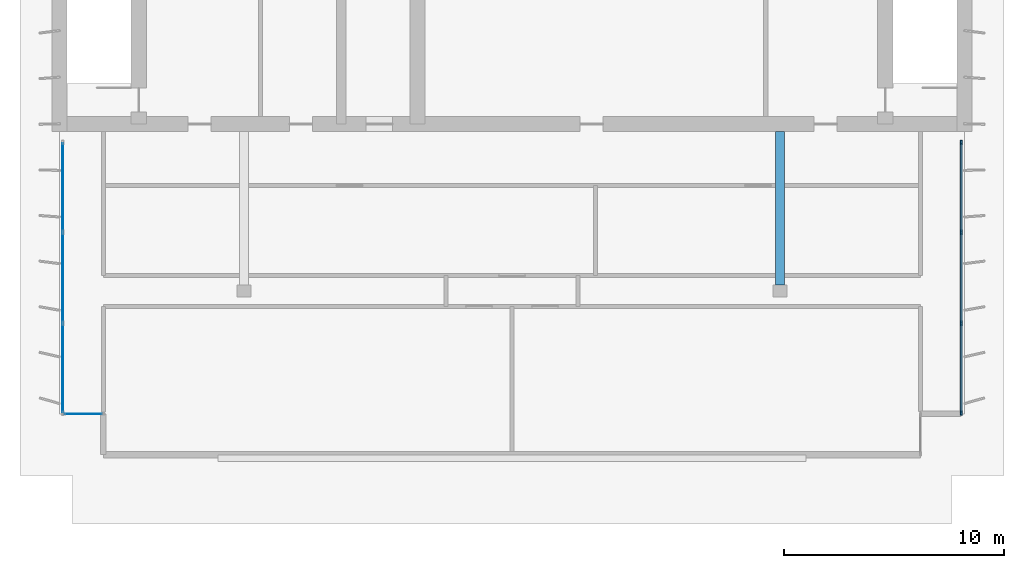
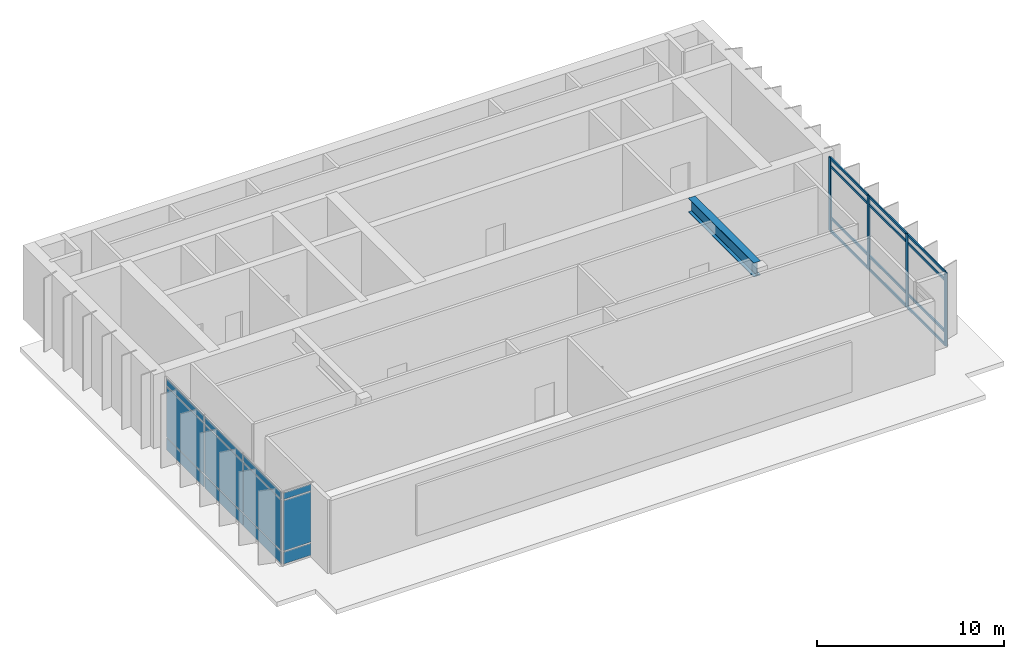
# One storey, part 2 of 5: 16 members, 12 plates, 1 beam, 3 elements without a shape of their own.
"""IFC4 building model written with IfcOpenShell, lengths in metres."""

from ifc_helpers import new_model, si_unit, direction, frame, origin, origin_2d, place, context, subcontext, project, spatial, rectangle, i_section, extrude, material, layer, layer_set, material_profile, profile_set, type_object, element, aggregate, save


model = new_model("IFC4")

# Units and contexts
model_context = context("Model", 3, precision=1e-05, world=origin(), true_north=direction((0.0, 1.0)))
body_context = subcontext(model_context, "Body", "Model", "MODEL_VIEW")
ifc_project = project(units=[si_unit("LENGTHUNIT", "METRE"), si_unit("AREAUNIT", "SQUARE_METRE"), si_unit("VOLUMEUNIT", "CUBIC_METRE"), si_unit("PLANEANGLEUNIT", "RADIAN"), si_unit("MASSUNIT", "GRAM", prefix="KILO")], contexts=[model_context])

# Site, building, storey
site_placement = place(None, origin())
site = spatial("IfcSite", under=ifc_project, at=site_placement, CompositionType="ELEMENT")
building_placement = place(site_placement, origin())
building = spatial("IfcBuilding", under=site, at=building_placement, Name="Caelmar Bay Residences", CompositionType="ELEMENT")
storey_placement = place(building_placement, frame((0.0, 0.0, 300.39990234375)))
storey = spatial("IfcBuildingStorey", under=building, at=storey_placement, Name="L82", CompositionType="ELEMENT", Elevation=300.39990234375)

# Beam
ifc_material_1 = material(Name="Steel ASTM A992 Grade 50", Category="steel")
ifc_material_profile_1 = material_profile(ifc_material_1, i_section(OverallWidth=0.422119140625, OverallDepth=0.925048828125, WebThickness=0.021240234375, FlangeThickness=0.03662109375, FilletRadius=0.020263671875, at=origin_2d()), Name="W36X262")
ifc_profile_set_1 = profile_set([ifc_material_profile_1], Name="Steel ASTM A992 Grade 50")
beam_type = type_object("IfcBeamType", Name="BM-GRD-W36X262", PredefinedType="BEAM", material=ifc_profile_set_1)
beam_placement = place(storey_placement, frame((51.10009765625, 29.6650390625, 4.337646484375), z_axis=(0.0, 1.0, 0.0), x_axis=(-1.0, 0.0, 0.0)))
element("IfcBeam", 1, at=beam_placement, inside=storey, type_object=beam_type, Name="L82 Core Tie Girder X=51.10", PredefinedType="BEAM", context=body_context, shape_type="SweptSolid", body=[
    extrude(i_section(OverallWidth=0.422119140625, OverallDepth=0.925048828125, WebThickness=0.021240234375, FlangeThickness=0.03662109375, FilletRadius=0.020263671875, at=origin_2d()), origin(), (0.0, 0.0, 1.0), 6.98486328125),
])

# Curtain wall, members
ifc_material_2 = material(Name="Anodised bronze aluminium 6063-T6 and laminated glass", Category="aluminium")
ifc_layer_1 = layer(ifc_material_2, 0.179931640625)
ifc_layer_set_1 = layer_set([ifc_layer_1], Name="Anodised bronze aluminium 6063-T6 and laminated glass")
curtain_wall_type_1 = type_object("IfcCurtainWallType", Name="CW7-CRN", PredefinedType="NOTDEFINED", material=ifc_layer_set_1)
curtain_wall_1_placement = place(storey_placement, origin())
curtain_wall_1 = element("IfcCurtainWall", 2, at=curtain_wall_1_placement, inside=storey, type_object=curtain_wall_type_1, Name="CW7 curtain wall L82", PredefinedType="NOTDEFINED")
ifc_material_3 = material(Name="Anodised bronze aluminium 6063-T6", Category="aluminium")
ifc_material_profile_2 = material_profile(ifc_material_3, rectangle(XDim=0.080078125, YDim=0.219970703125, at=origin_2d()), Name="CWM-80X220")
ifc_profile_set_2 = profile_set([ifc_material_profile_2], Name="Anodised bronze aluminium 6063-T6")
member_type_1 = type_object("IfcMemberType", Name="CWM-220", PredefinedType="MULLION", material=ifc_profile_set_2)
member_1_placement = place(storey_placement, frame((59.35009765625, 36.159912109375, 0.0), z_axis=(0.0, 0.0, 1.0), x_axis=(1.0, 0.0, 0.0)))
member_1 = element("IfcMember", 3, at=member_1_placement, type_object=member_type_1, Name="CW7 mullion 1", PredefinedType="MULLION", context=body_context, shape_type="SweptSolid", body=[
    extrude(rectangle(XDim=0.080078125, YDim=0.219970703125, at=origin_2d()), origin(), (0.0, 0.0, 1.0), 4.800048828125),
])
member_2_placement = place(storey_placement, frame((59.35009765625, 32.066650390625, 0.0), z_axis=(0.0, 0.0, 1.0), x_axis=(1.0, 0.0, 0.0)))
member_2 = element("IfcMember", 4, at=member_2_placement, type_object=member_type_1, Name="CW7 mullion 2", PredefinedType="MULLION", context=body_context, shape_type="SweptSolid", body=[
    extrude(rectangle(XDim=0.080078125, YDim=0.219970703125, at=origin_2d()), origin(), (0.0, 0.0, 1.0), 4.800048828125),
])
member_3_placement = place(storey_placement, frame((59.35009765625, 27.933349609375, 0.0), z_axis=(0.0, 0.0, 1.0), x_axis=(1.0, 0.0, 0.0)))
member_3 = element("IfcMember", 5, at=member_3_placement, type_object=member_type_1, Name="CW7 mullion 3", PredefinedType="MULLION", context=body_context, shape_type="SweptSolid", body=[
    extrude(rectangle(XDim=0.080078125, YDim=0.219970703125, at=origin_2d()), origin(), (0.0, 0.0, 1.0), 4.800048828125),
])
member_4_placement = place(storey_placement, frame((59.35009765625, 23.840087890625, 0.0), z_axis=(0.0, 0.0, 1.0), x_axis=(1.0, 0.0, 0.0)))
member_4 = element("IfcMember", 6, at=member_4_placement, type_object=member_type_1, Name="CW7 mullion 4", PredefinedType="MULLION", context=body_context, shape_type="SweptSolid", body=[
    extrude(rectangle(XDim=0.080078125, YDim=0.219970703125, at=origin_2d()), origin(), (0.0, 0.0, 1.0), 4.800048828125),
])
ifc_material_profile_3 = material_profile(ifc_material_3, rectangle(XDim=0.080078125, YDim=0.159912109375, at=origin_2d()), Name="CWT-80X160")
ifc_profile_set_3 = profile_set([ifc_material_profile_3], Name="Anodised bronze aluminium 6063-T6")
member_type_2 = type_object("IfcMemberType", Name="CWT-160", PredefinedType="NOTDEFINED", material=ifc_profile_set_3)
member_5_placement = place(storey_placement, frame((59.35009765625, 36.1201171875, 0.0400390625), z_axis=(0.0, -1.0, 0.0), x_axis=(1.0, 0.0, 0.0)))
member_5 = element("IfcMember", 7, at=member_5_placement, type_object=member_type_2, Name="CW7 transom 1.1", ObjectType="TRANSOM", PredefinedType="USERDEFINED", context=body_context, shape_type="SweptSolid", body=[
    extrude(rectangle(XDim=0.080078125, YDim=0.159912109375, at=origin_2d()), origin(), (0.0, 0.0, 1.0), 4.013427734375),
])
member_6_placement = place(storey_placement, frame((59.35009765625, 36.1201171875, 0.900146484375), z_axis=(0.0, -1.0, 0.0), x_axis=(1.0, 0.0, 0.0)))
member_6 = element("IfcMember", 8, at=member_6_placement, type_object=member_type_2, Name="CW7 transom 1.2", ObjectType="TRANSOM", PredefinedType="USERDEFINED", context=body_context, shape_type="SweptSolid", body=[
    extrude(rectangle(XDim=0.080078125, YDim=0.159912109375, at=origin_2d()), origin(), (0.0, 0.0, 1.0), 4.013427734375),
])
member_7_placement = place(storey_placement, frame((59.35009765625, 36.1201171875, 4.25), z_axis=(0.0, -1.0, 0.0), x_axis=(1.0, 0.0, 0.0)))
member_7 = element("IfcMember", 9, at=member_7_placement, type_object=member_type_2, Name="CW7 transom 1.3", ObjectType="TRANSOM", PredefinedType="USERDEFINED", context=body_context, shape_type="SweptSolid", body=[
    extrude(rectangle(XDim=0.080078125, YDim=0.159912109375, at=origin_2d()), origin(), (0.0, 0.0, 1.0), 4.013427734375),
])
member_8_placement = place(storey_placement, frame((59.35009765625, 36.1201171875, 4.760009765625), z_axis=(0.0, -1.0, 0.0), x_axis=(1.0, 0.0, 0.0)))
member_8 = element("IfcMember", 10, at=member_8_placement, type_object=member_type_2, Name="CW7 transom 1.4", ObjectType="TRANSOM", PredefinedType="USERDEFINED", context=body_context, shape_type="SweptSolid", body=[
    extrude(rectangle(XDim=0.080078125, YDim=0.159912109375, at=origin_2d()), origin(), (0.0, 0.0, 1.0), 4.013427734375),
])
member_9_placement = place(storey_placement, frame((59.35009765625, 32.026611328125, 0.0400390625), z_axis=(0.0, -1.0, 0.0), x_axis=(1.0, 0.0, 0.0)))
member_9 = element("IfcMember", 11, at=member_9_placement, type_object=member_type_2, Name="CW7 transom 2.1", ObjectType="TRANSOM", PredefinedType="USERDEFINED", context=body_context, shape_type="SweptSolid", body=[
    extrude(rectangle(XDim=0.080078125, YDim=0.159912109375, at=origin_2d()), origin(), (0.0, 0.0, 1.0), 4.05322265625),
])
member_10_placement = place(storey_placement, frame((59.35009765625, 32.026611328125, 0.900146484375), z_axis=(0.0, -1.0, 0.0), x_axis=(1.0, 0.0, 0.0)))
member_10 = element("IfcMember", 12, at=member_10_placement, type_object=member_type_2, Name="CW7 transom 2.2", ObjectType="TRANSOM", PredefinedType="USERDEFINED", context=body_context, shape_type="SweptSolid", body=[
    extrude(rectangle(XDim=0.080078125, YDim=0.159912109375, at=origin_2d()), origin(), (0.0, 0.0, 1.0), 4.05322265625),
])
member_11_placement = place(storey_placement, frame((59.35009765625, 32.026611328125, 4.25), z_axis=(0.0, -1.0, 0.0), x_axis=(1.0, 0.0, 0.0)))
member_11 = element("IfcMember", 13, at=member_11_placement, type_object=member_type_2, Name="CW7 transom 2.3", ObjectType="TRANSOM", PredefinedType="USERDEFINED", context=body_context, shape_type="SweptSolid", body=[
    extrude(rectangle(XDim=0.080078125, YDim=0.159912109375, at=origin_2d()), origin(), (0.0, 0.0, 1.0), 4.05322265625),
])
member_12_placement = place(storey_placement, frame((59.35009765625, 32.026611328125, 4.760009765625), z_axis=(0.0, -1.0, 0.0), x_axis=(1.0, 0.0, 0.0)))
member_12 = element("IfcMember", 14, at=member_12_placement, type_object=member_type_2, Name="CW7 transom 2.4", ObjectType="TRANSOM", PredefinedType="USERDEFINED", context=body_context, shape_type="SweptSolid", body=[
    extrude(rectangle(XDim=0.080078125, YDim=0.159912109375, at=origin_2d()), origin(), (0.0, 0.0, 1.0), 4.05322265625),
])
member_13_placement = place(storey_placement, frame((59.35009765625, 27.893310546875, 0.0400390625), z_axis=(0.0, -1.0, 0.0), x_axis=(1.0, 0.0, 0.0)))
member_13 = element("IfcMember", 15, at=member_13_placement, type_object=member_type_2, Name="CW7 transom 3.1", ObjectType="TRANSOM", PredefinedType="USERDEFINED", context=body_context, shape_type="SweptSolid", body=[
    extrude(rectangle(XDim=0.080078125, YDim=0.159912109375, at=origin_2d()), origin(), (0.0, 0.0, 1.0), 4.013427734375),
])
member_14_placement = place(storey_placement, frame((59.35009765625, 27.893310546875, 0.900146484375), z_axis=(0.0, -1.0, 0.0), x_axis=(1.0, 0.0, 0.0)))
member_14 = element("IfcMember", 16, at=member_14_placement, type_object=member_type_2, Name="CW7 transom 3.2", ObjectType="TRANSOM", PredefinedType="USERDEFINED", context=body_context, shape_type="SweptSolid", body=[
    extrude(rectangle(XDim=0.080078125, YDim=0.159912109375, at=origin_2d()), origin(), (0.0, 0.0, 1.0), 4.013427734375),
])
member_15_placement = place(storey_placement, frame((59.35009765625, 27.893310546875, 4.25), z_axis=(0.0, -1.0, 0.0), x_axis=(1.0, 0.0, 0.0)))
member_15 = element("IfcMember", 17, at=member_15_placement, type_object=member_type_2, Name="CW7 transom 3.3", ObjectType="TRANSOM", PredefinedType="USERDEFINED", context=body_context, shape_type="SweptSolid", body=[
    extrude(rectangle(XDim=0.080078125, YDim=0.159912109375, at=origin_2d()), origin(), (0.0, 0.0, 1.0), 4.013427734375),
])
member_16_placement = place(storey_placement, frame((59.35009765625, 27.893310546875, 4.760009765625), z_axis=(0.0, -1.0, 0.0), x_axis=(1.0, 0.0, 0.0)))
member_16 = element("IfcMember", 18, at=member_16_placement, type_object=member_type_2, Name="CW7 transom 3.4", ObjectType="TRANSOM", PredefinedType="USERDEFINED", context=body_context, shape_type="SweptSolid", body=[
    extrude(rectangle(XDim=0.080078125, YDim=0.159912109375, at=origin_2d()), origin(), (0.0, 0.0, 1.0), 4.013427734375),
])
aggregate(curtain_wall_1, [member_1, member_2, member_3, member_4, member_5, member_6, member_7, member_8, member_9, member_10, member_11, member_12, member_13, member_14, member_15, member_16])

# Curtain wall, plates
ifc_layer_2 = layer(ifc_material_2, 0.179931640625)
ifc_layer_set_2 = layer_set([ifc_layer_2], Name="Anodised bronze aluminium 6063-T6 and laminated glass")
curtain_wall_type_2 = type_object("IfcCurtainWallType", Name="CW6-NTC", PredefinedType="NOTDEFINED", material=ifc_layer_set_2)
curtain_wall_2_placement = place(storey_placement, origin())
curtain_wall_2 = element("IfcCurtainWall", 19, at=curtain_wall_2_placement, inside=storey, type_object=curtain_wall_type_2, Name="CW6 curtain wall L82", PredefinedType="NOTDEFINED")
ifc_material_4 = material(Name="Bronze-tinted laminated low-E hurricane glass 28 mm", Category="glass")
ifc_layer_3 = layer(ifc_material_4, 0.028076171875)
ifc_layer_set_3 = layer_set([ifc_layer_3], Name="Bronze-tinted laminated low-E hurricane glass 28 mm")
plate_type_1 = type_object("IfcPlateType", Name="CWP-GLZ28", PredefinedType="CURTAIN_PANEL", material=ifc_layer_set_3)
plate_1_placement = place(storey_placement, frame((19.375, 23.800048828125, 0.080078125), z_axis=(0.0, 0.0, 1.0), x_axis=(1.0, 0.0, 0.0)))
plate_1 = element("IfcPlate", 20, at=plate_1_placement, type_object=plate_type_1, Name="CW6 panel 1.1", PredefinedType="CURTAIN_PANEL", context=body_context, shape_type="SweptSolid", body=[
    extrude(rectangle(XDim=1.68994140625, YDim=0.028076171875, at=origin_2d()), origin(), (0.0, 0.0, 1.0), 0.780029296875),
])
plate_2_placement = place(storey_placement, frame((19.375, 23.800048828125, 0.940185546875), z_axis=(0.0, 0.0, 1.0), x_axis=(1.0, 0.0, 0.0)))
plate_2 = element("IfcPlate", 21, at=plate_2_placement, type_object=plate_type_1, Name="CW6 panel 1.2", PredefinedType="CURTAIN_PANEL", context=body_context, shape_type="SweptSolid", body=[
    extrude(rectangle(XDim=1.68994140625, YDim=0.028076171875, at=origin_2d()), origin(), (0.0, 0.0, 1.0), 3.27001953125),
])
plate_3_placement = place(storey_placement, frame((19.375, 23.800048828125, 4.2900390625), z_axis=(0.0, 0.0, 1.0), x_axis=(1.0, 0.0, 0.0)))
plate_3 = element("IfcPlate", 22, at=plate_3_placement, type_object=plate_type_1, Name="CW6 panel 1.3", PredefinedType="CURTAIN_PANEL", context=body_context, shape_type="SweptSolid", body=[
    extrude(rectangle(XDim=1.68994140625, YDim=0.028076171875, at=origin_2d()), origin(), (0.0, 0.0, 1.0), 0.429931640625),
])
aggregate(curtain_wall_2, [plate_1, plate_2, plate_3])

curtain_wall_3_placement = place(storey_placement, origin())
curtain_wall_3 = element("IfcCurtainWall", 23, at=curtain_wall_3_placement, inside=storey, type_object=curtain_wall_type_1, Name="CW7 curtain wall L82", PredefinedType="NOTDEFINED")
ifc_material_5 = material(Name="Bronze-tinted laminated low-E hurricane glass 32 mm", Category="glass")
ifc_layer_4 = layer(ifc_material_5, 0.031982421875)
ifc_layer_set_4 = layer_set([ifc_layer_4], Name="Bronze-tinted laminated low-E hurricane glass 32 mm")
plate_type_2 = type_object("IfcPlateType", Name="CWP-GLZ32", PredefinedType="CURTAIN_PANEL", material=ifc_layer_set_4)
plate_4_placement = place(storey_placement, frame((18.449951171875, 25.88671875, 0.080078125), z_axis=(0.0, 0.0, 1.0), x_axis=(0.0, 1.0, 0.0)))
plate_4 = element("IfcPlate", 24, at=plate_4_placement, type_object=plate_type_2, Name="CW7 panel 1.1", PredefinedType="CURTAIN_PANEL", context=body_context, shape_type="SweptSolid", body=[
    extrude(rectangle(XDim=4.013427734375, YDim=0.031982421875, at=origin_2d()), origin(), (0.0, 0.0, 1.0), 0.780029296875),
])
plate_5_placement = place(storey_placement, frame((18.449951171875, 25.88671875, 0.940185546875), z_axis=(0.0, 0.0, 1.0), x_axis=(0.0, 1.0, 0.0)))
plate_5 = element("IfcPlate", 25, at=plate_5_placement, type_object=plate_type_2, Name="CW7 panel 1.2", PredefinedType="CURTAIN_PANEL", context=body_context, shape_type="SweptSolid", body=[
    extrude(rectangle(XDim=4.013427734375, YDim=0.031982421875, at=origin_2d()), origin(), (0.0, 0.0, 1.0), 3.27001953125),
])
plate_6_placement = place(storey_placement, frame((18.449951171875, 25.88671875, 4.2900390625), z_axis=(0.0, 0.0, 1.0), x_axis=(0.0, 1.0, 0.0)))
plate_6 = element("IfcPlate", 26, at=plate_6_placement, type_object=plate_type_2, Name="CW7 panel 1.3", PredefinedType="CURTAIN_PANEL", context=body_context, shape_type="SweptSolid", body=[
    extrude(rectangle(XDim=4.013427734375, YDim=0.031982421875, at=origin_2d()), origin(), (0.0, 0.0, 1.0), 0.429931640625),
])
plate_7_placement = place(storey_placement, frame((18.449951171875, 30.0, 0.080078125), z_axis=(0.0, 0.0, 1.0), x_axis=(0.0, 1.0, 0.0)))
plate_7 = element("IfcPlate", 27, at=plate_7_placement, type_object=plate_type_2, Name="CW7 panel 2.1", PredefinedType="CURTAIN_PANEL", context=body_context, shape_type="SweptSolid", body=[
    extrude(rectangle(XDim=4.05322265625, YDim=0.031982421875, at=origin_2d()), origin(), (0.0, 0.0, 1.0), 0.780029296875),
])
plate_8_placement = place(storey_placement, frame((18.449951171875, 30.0, 0.940185546875), z_axis=(0.0, 0.0, 1.0), x_axis=(0.0, 1.0, 0.0)))
plate_8 = element("IfcPlate", 28, at=plate_8_placement, type_object=plate_type_2, Name="CW7 panel 2.2", PredefinedType="CURTAIN_PANEL", context=body_context, shape_type="SweptSolid", body=[
    extrude(rectangle(XDim=4.05322265625, YDim=0.031982421875, at=origin_2d()), origin(), (0.0, 0.0, 1.0), 3.27001953125),
])
plate_9_placement = place(storey_placement, frame((18.449951171875, 30.0, 4.2900390625), z_axis=(0.0, 0.0, 1.0), x_axis=(0.0, 1.0, 0.0)))
plate_9 = element("IfcPlate", 29, at=plate_9_placement, type_object=plate_type_2, Name="CW7 panel 2.3", PredefinedType="CURTAIN_PANEL", context=body_context, shape_type="SweptSolid", body=[
    extrude(rectangle(XDim=4.05322265625, YDim=0.031982421875, at=origin_2d()), origin(), (0.0, 0.0, 1.0), 0.429931640625),
])
plate_10_placement = place(storey_placement, frame((18.449951171875, 34.11328125, 0.080078125), z_axis=(0.0, 0.0, 1.0), x_axis=(0.0, 1.0, 0.0)))
plate_10 = element("IfcPlate", 30, at=plate_10_placement, type_object=plate_type_2, Name="CW7 panel 3.1", PredefinedType="CURTAIN_PANEL", context=body_context, shape_type="SweptSolid", body=[
    extrude(rectangle(XDim=4.013427734375, YDim=0.031982421875, at=origin_2d()), origin(), (0.0, 0.0, 1.0), 0.780029296875),
])
plate_11_placement = place(storey_placement, frame((18.449951171875, 34.11328125, 0.940185546875), z_axis=(0.0, 0.0, 1.0), x_axis=(0.0, 1.0, 0.0)))
plate_11 = element("IfcPlate", 31, at=plate_11_placement, type_object=plate_type_2, Name="CW7 panel 3.2", PredefinedType="CURTAIN_PANEL", context=body_context, shape_type="SweptSolid", body=[
    extrude(rectangle(XDim=4.013427734375, YDim=0.031982421875, at=origin_2d()), origin(), (0.0, 0.0, 1.0), 3.27001953125),
])
plate_12_placement = place(storey_placement, frame((18.449951171875, 34.11328125, 4.2900390625), z_axis=(0.0, 0.0, 1.0), x_axis=(0.0, 1.0, 0.0)))
plate_12 = element("IfcPlate", 32, at=plate_12_placement, type_object=plate_type_2, Name="CW7 panel 3.3", PredefinedType="CURTAIN_PANEL", context=body_context, shape_type="SweptSolid", body=[
    extrude(rectangle(XDim=4.013427734375, YDim=0.031982421875, at=origin_2d()), origin(), (0.0, 0.0, 1.0), 0.429931640625),
])
aggregate(curtain_wall_3, [plate_4, plate_5, plate_6, plate_7, plate_8, plate_9, plate_10, plate_11, plate_12])

save(model, "model.ifc")
